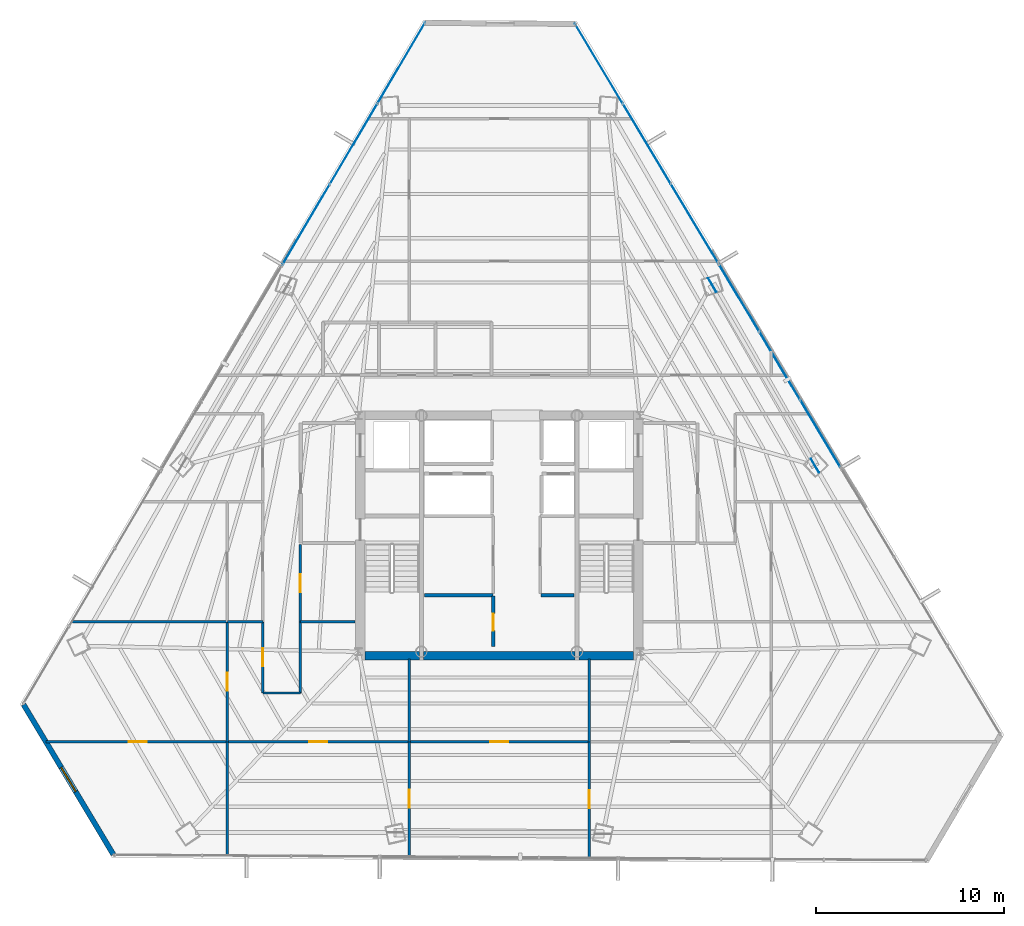
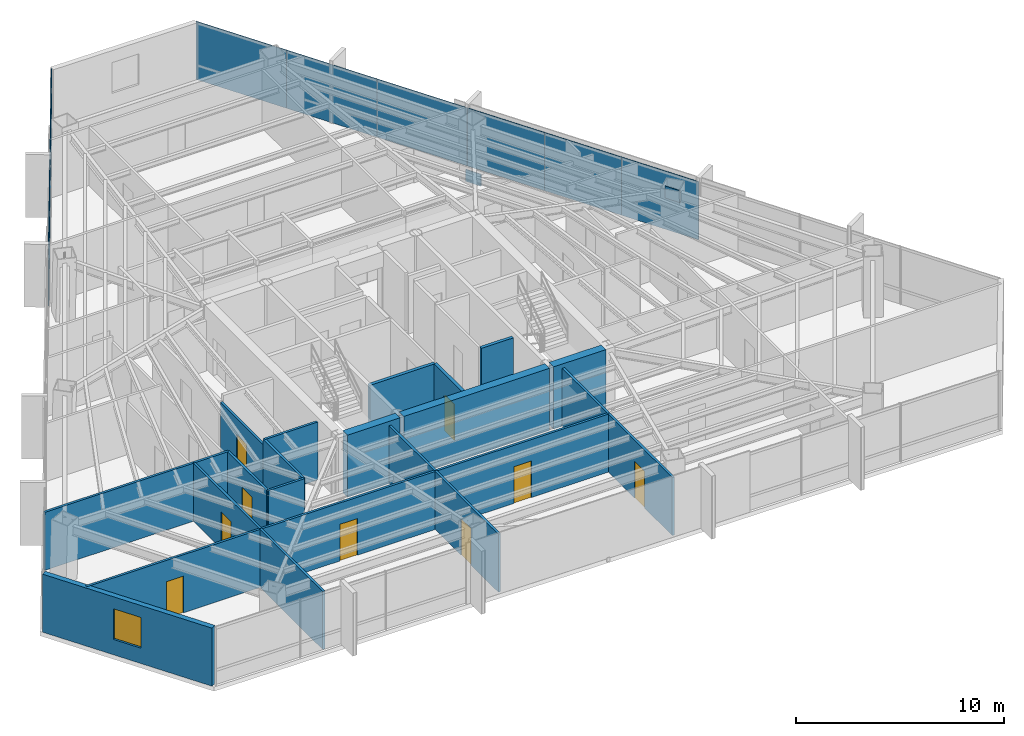
# One storey, part 35 of 41: 23 walls, 11 plates, 9 doors, 1 window, 10 openings, 3 elements without a shape of their own.
"""IFC4 building model written with IfcOpenShell, lengths in metres."""

from ifc_helpers import new_model, si_unit, direction, frame, frame_2d, origin, origin_2d, place, context, subcontext, project, spatial, rectangle, extrude, source, transform, mapped, material, layer, layer_set, type_object, type_shapes, element, fill, aggregate, save


model = new_model("IFC4")

# Units and contexts
model_context = context("Model", 3, precision=1e-05, world=origin(), true_north=direction((0.0, 1.0)))
body_context = subcontext(model_context, "Body", "Model", "MODEL_VIEW")
ifc_project = project(units=[si_unit("LENGTHUNIT", "METRE"), si_unit("AREAUNIT", "SQUARE_METRE"), si_unit("VOLUMEUNIT", "CUBIC_METRE"), si_unit("PLANEANGLEUNIT", "RADIAN"), si_unit("MASSUNIT", "GRAM", prefix="KILO")], contexts=[model_context])

# Site, building, storey
site_placement = place(None, origin())
site = spatial("IfcSite", under=ifc_project, at=site_placement, CompositionType="ELEMENT")
building_placement = place(site_placement, origin())
building = spatial("IfcBuilding", under=site, at=building_placement, Name="Caelisora Broadcast Tower", CompositionType="ELEMENT")
storey_placement = place(building_placement, frame((0.0, 0.0, 173.10009765625)))
storey = spatial("IfcBuildingStorey", under=building, at=storey_placement, Name="L45", CompositionType="ELEMENT", Elevation=173.10009765625)

# Plates
ifc_material_1 = material(Name="Steel Grade 350 L15 (AS/NZS 3678)", Category="steel")
ifc_layer_1 = layer(ifc_material_1, 0.0400390625, Name="Steel Grade 350 L15 (AS/NZS 3678)")
ifc_layer_set_1 = layer_set([ifc_layer_1], Name="Steel Grade 350 L15 (AS/NZS 3678)")
plate_type_1 = type_object("IfcPlateType", Name="GP04", PredefinedType="USERDEFINED", material=ifc_layer_set_1)
shared_shape_1 = source(origin(), body_context, "Body", "SweptSolid", [
    extrude(rectangle(XDim=0.85009765625, YDim=0.0400390625, at=origin_2d()), origin(), (0.0, 0.0, 1.0), 0.699951171875),
])
type_shapes(plate_type_1, [shared_shape_1])
for number, where, z_axis, x_axis, name in (
    (1, (54.8427734375, 27.319091796875, 2.72998046875), (0.0, 0.0, 1.0), (-0.5, 0.866025403784, 0.0), "L45 gusset plate GP04 (ND-L45-C10T)"),
    (2, (49.366455078125, 36.94873046875, -0.22998046875), (0.0, 0.0, 1.0), (-0.5, 0.866025403784, 0.0), "L45 gusset plate GP04 (ND-L45-C11B)"),
):
    element("IfcPlate", number, at=place(storey_placement, frame(where, z_axis=z_axis, x_axis=x_axis)), inside=storey, type_object=plate_type_1, Name=name, ObjectType="GUSSET PLATE", PredefinedType="USERDEFINED", context=body_context, shape_type="MappedRepresentation", body=[
        mapped(shared_shape_1, transform((0.0, 0.0, 0.0), scale=1.0)),
    ])

# Curtain wall, plates
ifc_material_2 = material(Name="Unitised Aluminium and Low-E Glass Curtain Wall", Category="glass")
curtain_wall_type_1 = type_object("IfcCurtainWallType", Name="CW-Z3", PredefinedType="NOTDEFINED", material=ifc_material_2)
curtain_wall_1_placement = place(storey_placement, origin())
curtain_wall_1 = element("IfcCurtainWall", 3, at=curtain_wall_1_placement, inside=storey, type_object=curtain_wall_type_1, Name="L45 curtain wall CW-Z3", PredefinedType="NOTDEFINED")
ifc_material_3 = material(Name="Double Glazed Low-E Argon IGU", Category="glass")
ifc_layer_2 = layer(ifc_material_3, 0.031982421875, Name="Double Glazed Low-E Argon IGU")
ifc_layer_set_2 = layer_set([ifc_layer_2], Name="Double Glazed Low-E Argon IGU")
plate_type_2 = type_object("IfcPlateType", Name="CWP-04", PredefinedType="CURTAIN_PANEL", material=ifc_layer_set_2)
shared_shape_2 = source(origin(), body_context, "Body", "SweptSolid", [
    extrude(rectangle(XDim=4.9951171875, YDim=0.031982421875, at=origin_2d()), origin(), (0.0, 0.0, 1.0), 3.39990234375),
])
plate_1_placement = place(storey_placement, frame((27.704833984375, 40.179931640625, 0.0), z_axis=(0.0, 0.0, 1.0), x_axis=(0.507989441341, 0.861363295878, 0.0)))
plate_1 = element("IfcPlate", 4, at=plate_1_placement, type_object=plate_type_2, Name="L45-CW-B11 glazed panel #1", PredefinedType="CURTAIN_PANEL", context=body_context, shape_type="MappedRepresentation", body=[
    mapped(shared_shape_2, transform((0.0, 0.0, 0.0), scale=1.0)),
])
plate_2_placement = place(storey_placement, frame((30.242431640625, 44.482421875, 0.0), z_axis=(0.0, 0.0, 1.0), x_axis=(0.507989441341, 0.861363295878, 0.0)))
plate_2 = element("IfcPlate", 5, at=plate_2_placement, type_object=plate_type_2, Name="L45-CW-B11 glazed panel #2", PredefinedType="CURTAIN_PANEL", context=body_context, shape_type="MappedRepresentation", body=[
    mapped(shared_shape_2, transform((0.0, 0.0, 0.0), scale=1.0)),
])
plate_3_placement = place(storey_placement, frame((32.7802734375, 48.784912109375, 0.0), z_axis=(0.0, 0.0, 1.0), x_axis=(0.507989441341, 0.861363295878, 0.0)))
plate_3 = element("IfcPlate", 6, at=plate_3_placement, type_object=plate_type_2, Name="L45-CW-B11 glazed panel #3", PredefinedType="CURTAIN_PANEL", context=body_context, shape_type="MappedRepresentation", body=[
    mapped(shared_shape_2, transform((0.0, 0.0, 0.0), scale=1.0)),
])
aggregate(curtain_wall_1, [plate_1, plate_2, plate_3])

curtain_wall_2_placement = place(storey_placement, origin())
curtain_wall_2 = element("IfcCurtainWall", 7, at=curtain_wall_2_placement, inside=storey, type_object=curtain_wall_type_1, Name="L45 curtain wall CW-Z3", PredefinedType="NOTDEFINED")
shared_shape_3 = source(origin(), body_context, "Body", "SweptSolid", [
    extrude(rectangle(XDim=4.96240234375, YDim=0.031982421875, at=origin_2d()), origin(), (0.0, 0.0, 1.0), 3.39990234375),
])
type_shapes(plate_type_2, [shared_shape_2, shared_shape_3])
plate_4_placement = place(storey_placement, frame((43.319580078125, 48.755126953125, 0.0), z_axis=(0.0, 0.0, 1.0), x_axis=(0.513691004814, -0.857975262798, 0.0)))
plate_4 = element("IfcPlate", 8, at=plate_4_placement, type_object=plate_type_2, Name="L45-CW-B01 glazed panel #1", PredefinedType="CURTAIN_PANEL", context=body_context, shape_type="MappedRepresentation", body=[
    mapped(shared_shape_3, transform((0.0, 0.0, 0.0), scale=1.0)),
])
plate_5_placement = place(storey_placement, frame((45.868896484375, 44.497802734375, 0.0), z_axis=(0.0, 0.0, 1.0), x_axis=(0.513691004814, -0.857975262798, 0.0)))
plate_5 = element("IfcPlate", 9, at=plate_5_placement, type_object=plate_type_2, Name="L45-CW-B01 glazed panel #2", PredefinedType="CURTAIN_PANEL", context=body_context, shape_type="MappedRepresentation", body=[
    mapped(shared_shape_3, transform((0.0, 0.0, 0.0), scale=1.0)),
])
plate_6_placement = place(storey_placement, frame((48.418212890625, 40.240234375, 0.0), z_axis=(0.0, 0.0, 1.0), x_axis=(0.513691004814, -0.857975262798, 0.0)))
plate_6 = element("IfcPlate", 10, at=plate_6_placement, type_object=plate_type_2, Name="L45-CW-B01 glazed panel #3", PredefinedType="CURTAIN_PANEL", context=body_context, shape_type="MappedRepresentation", body=[
    mapped(shared_shape_3, transform((0.0, 0.0, 0.0), scale=1.0)),
])
aggregate(curtain_wall_2, [plate_4, plate_5, plate_6])

ifc_material_4 = material(Name="Unitised Aluminium Insulated Shadow-Box Spandrel Curtain Wall", Category="aluminium")
curtain_wall_type_2 = type_object("IfcCurtainWallType", Name="CW-SP2", PredefinedType="NOTDEFINED", material=ifc_material_4)
curtain_wall_3_placement = place(storey_placement, origin())
curtain_wall_3 = element("IfcCurtainWall", 11, at=curtain_wall_3_placement, inside=storey, type_object=curtain_wall_type_2, Name="L45 curtain wall CW-SP2", PredefinedType="NOTDEFINED")
ifc_material_5 = material(Name="Insulated Terracotta Shadow-Box Spandrel Panel", Category="aluminium")
ifc_layer_3 = layer(ifc_material_5, 0.0439453125, Name="Insulated Terracotta Shadow-Box Spandrel Panel")
ifc_layer_set_3 = layer_set([ifc_layer_3], Name="Insulated Terracotta Shadow-Box Spandrel Panel")
plate_type_3 = type_object("IfcPlateType", Name="CWP-10", PredefinedType="CURTAIN_PANEL", material=ifc_layer_set_3)
shared_shape_4 = source(origin(), body_context, "Body", "SweptSolid", [
    extrude(rectangle(XDim=4.2333984375, YDim=0.0439453125, at=origin_2d()), origin(), (0.0, 0.0, 1.0), 3.39990234375),
])
type_shapes(plate_type_3, [shared_shape_4])
plate_7_placement = place(storey_placement, frame((50.78515625, 36.286865234375, 0.0), z_axis=(0.0, 0.0, 1.0), x_axis=(0.513691004814, -0.857975262798, 0.0)))
plate_7 = element("IfcPlate", 12, at=plate_7_placement, type_object=plate_type_3, Name="L45-CW-B02 spandrel panel #1", PredefinedType="CURTAIN_PANEL", context=body_context, shape_type="MappedRepresentation", body=[
    mapped(shared_shape_4, transform((0.0, 0.0, 0.0), scale=1.0)),
])
plate_8_placement = place(storey_placement, frame((52.9599609375, 32.65478515625, 0.0), z_axis=(0.0, 0.0, 1.0), x_axis=(0.513691004814, -0.857975262798, 0.0)))
plate_8 = element("IfcPlate", 13, at=plate_8_placement, type_object=plate_type_3, Name="L45-CW-B02 spandrel panel #2", PredefinedType="CURTAIN_PANEL", context=body_context, shape_type="MappedRepresentation", body=[
    mapped(shared_shape_4, transform((0.0, 0.0, 0.0), scale=1.0)),
])
plate_9_placement = place(storey_placement, frame((55.134521484375, 29.022705078125, 0.0), z_axis=(0.0, 0.0, 1.0), x_axis=(0.513691004814, -0.857975262798, 0.0)))
plate_9 = element("IfcPlate", 14, at=plate_9_placement, type_object=plate_type_3, Name="L45-CW-B02 spandrel panel #3", PredefinedType="CURTAIN_PANEL", context=body_context, shape_type="MappedRepresentation", body=[
    mapped(shared_shape_4, transform((0.0, 0.0, 0.0), scale=1.0)),
])
aggregate(curtain_wall_3, [plate_7, plate_8, plate_9])

# Walls
ifc_material_6 = material(Name="Concrete 50 MPa (AS 3600 S50)", Category="concrete")
ifc_layer_4 = layer(ifc_material_6, 0.449951171875, Name="Concrete 50 MPa (AS 3600 S50)")
ifc_layer_set_4 = layer_set([ifc_layer_4], Name="Concrete 50 MPa (AS 3600 S50)")
wall_type_1 = type_object("IfcWallType", Name="CW5", PredefinedType="SHEAR", material=ifc_layer_set_4)
wall_1_placement = place(storey_placement, frame((30.840087890625, 17.175048828125, 0.0), z_axis=(0.0, 0.0, 1.0), x_axis=(1.0, 0.0, 0.0)))
element("IfcWall", 15, at=wall_1_placement, inside=storey, type_object=wall_type_1, Name="L45 core shear wall CW5", PredefinedType="SHEAR", context=body_context, shape_type="SweptSolid", body=[
    extrude(rectangle(XDim=2.89990234375, YDim=0.449951171875, at=frame_2d((1.449951171875, 0.0))), origin(), (0.0, 0.0, 1.0), 3.64990234375),
])
wall_2_placement = place(storey_placement, frame((33.9599609375, 17.175048828125, 0.0), z_axis=(0.0, 0.0, 1.0), x_axis=(1.0, 0.0, 0.0)))
element("IfcWall", 16, at=wall_2_placement, inside=storey, type_object=wall_type_1, Name="L45 core shear wall CW5", PredefinedType="SHEAR", context=body_context, shape_type="SweptSolid", body=[
    extrude(rectangle(XDim=8.080078125, YDim=0.449951171875, at=frame_2d((4.0400390625, 0.0))), origin(), (0.0, 0.0, 1.0), 3.64990234375),
])
wall_3_placement = place(storey_placement, frame((42.260009765625, 17.175048828125, 0.0), z_axis=(0.0, 0.0, 1.0), x_axis=(1.0, 0.0, 0.0)))
element("IfcWall", 17, at=wall_3_placement, inside=storey, type_object=wall_type_1, Name="L45 core shear wall CW5", PredefinedType="SHEAR", context=body_context, shape_type="SweptSolid", body=[
    extrude(rectangle(XDim=2.89990234375, YDim=0.449951171875, at=frame_2d((1.449951171875, 0.0))), origin(), (0.0, 0.0, 1.0), 3.64990234375),
])

# Wall, opening, window
ifc_material_7 = material(Name="Insulated Terracotta Spandrel Wall System", Category="masonry")
ifc_layer_5 = layer(ifc_material_7, 0.280029296875, Name="Insulated Terracotta Spandrel Wall System")
ifc_layer_set_5 = layer_set([ifc_layer_5], Name="Insulated Terracotta Spandrel Wall System")
wall_type_2 = type_object("IfcWallType", Name="EW1", PredefinedType="STANDARD", material=ifc_layer_set_5)
wall_4_placement = place(storey_placement, frame((17.424560546875, 6.5908203125, 0.0), z_axis=(0.0, 0.0, 1.0), x_axis=(-0.513713259562, 0.857961937938, 0.0)))
wall_4 = element("IfcWall", 18, at=wall_4_placement, inside=storey, type_object=wall_type_2, Name="L45 exterior envelope wall EW1", PredefinedType="STANDARD", context=body_context, shape_type="SweptSolid", body=[
    extrude(rectangle(XDim=9.316650390625, YDim=0.280029296875, at=frame_2d((4.658203125, 0.0))), origin(), (0.0, 0.0, 1.0), 3.39990234375),
])
opening_1_placement = place(wall_4_placement, frame((3.909912109375, 0.0, 0.89990234375)))
opening_1 = element("IfcOpeningElement", 19, at=opening_1_placement, cuts=wall_4, Name="Opening W02", PredefinedType="OPENING", context=body_context, shape_type="SweptSolid", body=[
    extrude(rectangle(XDim=1.5, YDim=1.800048828125, at=frame_2d((0.75, 0.89990234375))), frame((0.0, 0.152099609375, 0.0), z_axis=(0.0, -1.0, 0.0), x_axis=(1.0, 0.0, 0.0)), (0.0, 0.0, 1.0), 0.303955078125),
])
ifc_material_8 = material(Name="Double Glazed Terracotta-Framed Vision Window", Category="glass")
window_type = type_object("IfcWindowType", Name="W02", PartitioningType="SINGLE_PANEL", PredefinedType="WINDOW", material=ifc_material_8)
window_placement = place(opening_1_placement, origin())
window = element("IfcWindow", 20, at=window_placement, inside=storey, type_object=window_type, Name="L45 window W02 (L45-WN-CH4)", OverallHeight=1.800048828125, OverallWidth=1.5, PartitioningType="SINGLE_PANEL", PredefinedType="WINDOW", context=body_context, shape_type="SweptSolid", body=[
    extrude(rectangle(XDim=1.5, YDim=1.800048828125, at=frame_2d((0.75, 0.89990234375))), frame((0.0, 0.030029296875, 0.0), z_axis=(0.0, -1.0, 0.0), x_axis=(1.0, 0.0, 0.0)), (0.0, 0.0, 1.0), 0.06005859375),
])
fill(opening_1, window)

# Walls
ifc_material_9 = material(Name="Fire-Rated Gypsum Shaft and Compartment Wall", Category="gypsum")
ifc_layer_6 = layer(ifc_material_9, 0.179931640625, Name="Fire-Rated Gypsum Shaft and Compartment Wall")
ifc_layer_set_6 = layer_set([ifc_layer_6], Name="Fire-Rated Gypsum Shaft and Compartment Wall")
wall_type_3 = type_object("IfcWallType", Name="PW2", PredefinedType="PARTITIONING", material=ifc_layer_set_6)
wall_5_placement = place(storey_placement, frame((34.02001953125, 20.419921875, 0.0), z_axis=(0.0, 0.0, 1.0), x_axis=(1.0, 0.0, 0.0)))
element("IfcWall", 21, at=wall_5_placement, inside=storey, type_object=wall_type_3, Name="L45 fire compartment wall PW2", PredefinedType="PARTITIONING", context=body_context, shape_type="SweptSolid", body=[
    extrude(rectangle(XDim=3.639892578125, YDim=0.179931640625, at=frame_2d((1.81982421875, 0.0))), origin(), (0.0, 0.0, 1.0), 3.39990234375),
])
wall_6_placement = place(storey_placement, frame((40.219970703125, 20.419921875, 0.0), z_axis=(0.0, 0.0, 1.0), x_axis=(1.0, 0.0, 0.0)))
element("IfcWall", 22, at=wall_6_placement, inside=storey, type_object=wall_type_3, Name="L45 fire compartment wall PW2", PredefinedType="PARTITIONING", context=body_context, shape_type="SweptSolid", body=[
    extrude(rectangle(XDim=1.760009765625, YDim=0.179931640625, at=frame_2d((0.8798828125, 0.0))), origin(), (0.0, 0.0, 1.0), 3.39990234375),
])

# Wall, opening, door
wall_7_placement = place(storey_placement, frame((37.679931640625, 17.679931640625, 0.0), z_axis=(0.0, 0.0, 1.0), x_axis=(0.0, 1.0, 0.0)))
wall_7 = element("IfcWall", 23, at=wall_7_placement, inside=storey, type_object=wall_type_3, Name="L45 fire compartment wall PW2", PredefinedType="PARTITIONING", context=body_context, shape_type="SweptSolid", body=[
    extrude(rectangle(XDim=2.699951171875, YDim=0.179931640625, at=frame_2d((1.35009765625, 0.0))), origin(), (0.0, 0.0, 1.0), 3.39990234375),
])
opening_2_placement = place(wall_7_placement, frame((0.85009765625, 0.0, 0.0)))
opening_2 = element("IfcOpeningElement", 24, at=opening_2_placement, cuts=wall_7, Name="Opening FD03", PredefinedType="OPENING", context=body_context, shape_type="SweptSolid", body=[
    extrude(rectangle(XDim=0.89990234375, YDim=2.10009765625, at=frame_2d((0.449951171875, 1.050048828125))), frame((0.0, 0.10205078125, 0.0), z_axis=(0.0, -1.0, 0.0), x_axis=(1.0, 0.0, 0.0)), (0.0, 0.0, 1.0), 0.203857421875),
])
ifc_material_10 = material(Name="Single-Leaf Steel Riser Fire Access Door", Category="steel")
door_type_1 = type_object("IfcDoorType", Name="FD03", OperationType="NOTDEFINED", PredefinedType="DOOR", material=ifc_material_10)
door_1_placement = place(opening_2_placement, origin())
door_1 = element("IfcDoor", 25, at=door_1_placement, inside=storey, type_object=door_type_1, Name="L45 door FD03 (L45-DR-P13D1)", OperationType="SINGLE_SWING_RIGHT", OverallHeight=2.10009765625, OverallWidth=0.89990234375, PredefinedType="DOOR", context=body_context, shape_type="SweptSolid", body=[
    extrude(rectangle(XDim=0.89990234375, YDim=2.10009765625, at=frame_2d((0.449951171875, 1.050048828125))), frame((0.0, 0.02490234375, 0.0), z_axis=(0.0, -1.0, 0.0), x_axis=(1.0, 0.0, 0.0)), (0.0, 0.0, 1.0), 0.050048828125),
])
fill(opening_2, door_1)

ifc_material_11 = material(Name="Acoustic Steel-Stud Plasterboard Partition", Category="gypsum")
ifc_layer_7 = layer(ifc_material_11, 0.1298828125, Name="Acoustic Steel-Stud Plasterboard Partition")
ifc_layer_set_7 = layer_set([ifc_layer_7], Name="Acoustic Steel-Stud Plasterboard Partition")
wall_type_4 = type_object("IfcWallType", Name="PW3", PredefinedType="PARTITIONING", material=ifc_layer_set_7)
wall_8_placement = place(storey_placement, frame((13.826904296875, 12.590087890625, 0.0), z_axis=(0.0, 0.0, 1.0), x_axis=(1.0, 0.0, 0.0)))
wall_8 = element("IfcWall", 26, at=wall_8_placement, inside=storey, type_object=wall_type_4, Name="L45 internal partition PW3", PredefinedType="PARTITIONING", context=body_context, shape_type="SweptSolid", body=[
    extrude(rectangle(XDim=9.668212890625, YDim=0.1298828125, at=frame_2d((4.833984375, 0.0))), origin(), (0.0, 0.0, 1.0), 3.39990234375),
])
opening_3_placement = place(wall_8_placement, frame((4.407958984375, 0.0, 0.0)))
opening_3 = element("IfcOpeningElement", 27, at=opening_3_placement, cuts=wall_8, Name="Opening D01", PredefinedType="OPENING", context=body_context, shape_type="SweptSolid", body=[
    extrude(rectangle(XDim=0.9599609375, YDim=2.14990234375, at=frame_2d((0.47998046875, 1.074951171875))), frame((0.0, 0.076904296875, 0.0), z_axis=(0.0, -1.0, 0.0), x_axis=(1.0, 0.0, 0.0)), (0.0, 0.0, 1.0), 0.15380859375),
])
ifc_material_12 = material(Name="Solid-Core Timber Acoustic Office Door", Category="wood")
door_type_2 = type_object("IfcDoorType", Name="D01", OperationType="NOTDEFINED", PredefinedType="DOOR", material=ifc_material_12)
door_2_placement = place(opening_3_placement, origin())
door_2 = element("IfcDoor", 28, at=door_2_placement, inside=storey, type_object=door_type_2, Name="L45 door D01 (L45-DR-P27D1)", OperationType="SINGLE_SWING_RIGHT", OverallHeight=2.14990234375, OverallWidth=0.9599609375, PredefinedType="DOOR", context=body_context, shape_type="SweptSolid", body=[
    extrude(rectangle(XDim=0.9599609375, YDim=2.14990234375, at=frame_2d((0.47998046875, 1.074951171875))), frame((0.0, 0.02490234375, 0.0), z_axis=(0.0, -1.0, 0.0), x_axis=(1.0, 0.0, 0.0)), (0.0, 0.0, 1.0), 0.050048828125),
])
fill(opening_3, door_2)

wall_9_placement = place(storey_placement, frame((23.5048828125, 12.590087890625, 0.0), z_axis=(0.0, 0.0, 1.0), x_axis=(1.0, 0.0, 0.0)))
wall_9 = element("IfcWall", 29, at=wall_9_placement, inside=storey, type_object=wall_type_4, Name="L45 internal partition PW3", PredefinedType="PARTITIONING", context=body_context, shape_type="SweptSolid", body=[
    extrude(rectangle(XDim=9.690185546875, YDim=0.1298828125, at=frame_2d((4.84521484375, 0.0))), origin(), (0.0, 0.0, 1.0), 3.39990234375),
])
opening_4_placement = place(wall_9_placement, frame((4.364990234375, 0.0, 0.0)))
opening_4 = element("IfcOpeningElement", 30, at=opening_4_placement, cuts=wall_9, Name="Opening D01", PredefinedType="OPENING", context=body_context, shape_type="SweptSolid", body=[
    extrude(rectangle(XDim=0.9599609375, YDim=2.14990234375, at=frame_2d((0.47998046875, 1.074951171875))), frame((0.0, 0.076904296875, 0.0), z_axis=(0.0, -1.0, 0.0), x_axis=(1.0, 0.0, 0.0)), (0.0, 0.0, 1.0), 0.15380859375),
])
door_3_placement = place(opening_4_placement, origin())
door_3 = element("IfcDoor", 31, at=door_3_placement, inside=storey, type_object=door_type_2, Name="L45 door D01 (L45-DR-P29D1)", OperationType="SINGLE_SWING_RIGHT", OverallHeight=2.14990234375, OverallWidth=0.9599609375, PredefinedType="DOOR", context=body_context, shape_type="SweptSolid", body=[
    extrude(rectangle(XDim=0.9599609375, YDim=2.14990234375, at=frame_2d((0.47998046875, 1.074951171875))), frame((0.0, 0.02490234375, 0.0), z_axis=(0.0, -1.0, 0.0), x_axis=(1.0, 0.0, 0.0)), (0.0, 0.0, 1.0), 0.050048828125),
])
fill(opening_4, door_3)

wall_10_placement = place(storey_placement, frame((33.205078125, 12.590087890625, 0.0), z_axis=(0.0, 0.0, 1.0), x_axis=(1.0, 0.0, 0.0)))
wall_10 = element("IfcWall", 32, at=wall_10_placement, inside=storey, type_object=wall_type_4, Name="L45 internal partition PW3", PredefinedType="PARTITIONING", context=body_context, shape_type="SweptSolid", body=[
    extrude(rectangle(XDim=9.58984375, YDim=0.1298828125, at=frame_2d((4.794921875, 0.0))), origin(), (0.0, 0.0, 1.0), 3.39990234375),
])
opening_5_placement = place(wall_10_placement, frame((4.31494140625, 0.0, 0.0)))
opening_5 = element("IfcOpeningElement", 33, at=opening_5_placement, cuts=wall_10, Name="Opening D01", PredefinedType="OPENING", context=body_context, shape_type="SweptSolid", body=[
    extrude(rectangle(XDim=0.9599609375, YDim=2.14990234375, at=frame_2d((0.47998046875, 1.074951171875))), frame((0.0, 0.076904296875, 0.0), z_axis=(0.0, -1.0, 0.0), x_axis=(1.0, 0.0, 0.0)), (0.0, 0.0, 1.0), 0.15380859375),
])
door_4_placement = place(opening_5_placement, origin())
door_4 = element("IfcDoor", 34, at=door_4_placement, inside=storey, type_object=door_type_2, Name="L45 door D01 (L45-DR-P31D1)", OperationType="SINGLE_SWING_RIGHT", OverallHeight=2.14990234375, OverallWidth=0.9599609375, PredefinedType="DOOR", context=body_context, shape_type="SweptSolid", body=[
    extrude(rectangle(XDim=0.9599609375, YDim=2.14990234375, at=frame_2d((0.47998046875, 1.074951171875))), frame((0.0, 0.02490234375, 0.0), z_axis=(0.0, -1.0, 0.0), x_axis=(1.0, 0.0, 0.0)), (0.0, 0.0, 1.0), 0.050048828125),
])
fill(opening_5, door_4)

# Wall
wall_11_placement = place(storey_placement, frame((15.201416015625, 18.989990234375, 0.0), z_axis=(0.0, 0.0, 1.0), x_axis=(1.0, 0.0, 0.0)))
element("IfcWall", 35, at=wall_11_placement, inside=storey, type_object=wall_type_4, Name="L45 internal partition PW3", PredefinedType="PARTITIONING", context=body_context, shape_type="SweptSolid", body=[
    extrude(rectangle(XDim=8.293701171875, YDim=0.1298828125, at=frame_2d((4.14697265625, 0.0))), origin(), (0.0, 0.0, 1.0), 3.39990234375),
])

# Wall, opening, door
wall_12_placement = place(storey_placement, frame((23.5, 12.594970703125, 0.0), z_axis=(0.0, 0.0, 1.0), x_axis=(0.0, 1.0, 0.0)))
wall_12 = element("IfcWall", 36, at=wall_12_placement, inside=storey, type_object=wall_type_4, Name="L45 internal partition PW3", PredefinedType="PARTITIONING", context=body_context, shape_type="SweptSolid", body=[
    extrude(rectangle(XDim=6.39013671875, YDim=0.1298828125, at=frame_2d((3.195068359375, 0.0))), origin(), (0.0, 0.0, 1.0), 3.39990234375),
])
opening_6_placement = place(wall_12_placement, frame((2.715087890625, 0.0, 0.0)))
opening_6 = element("IfcOpeningElement", 37, at=opening_6_placement, cuts=wall_12, Name="Opening D01", PredefinedType="OPENING", context=body_context, shape_type="SweptSolid", body=[
    extrude(rectangle(XDim=0.9599609375, YDim=2.14990234375, at=frame_2d((0.47998046875, 1.074951171875))), frame((0.0, 0.076904296875, 0.0), z_axis=(0.0, -1.0, 0.0), x_axis=(1.0, 0.0, 0.0)), (0.0, 0.0, 1.0), 0.15380859375),
])
door_5_placement = place(opening_6_placement, origin())
door_5 = element("IfcDoor", 38, at=door_5_placement, inside=storey, type_object=door_type_2, Name="L45 door D01 (L45-DR-P45D1)", OperationType="SINGLE_SWING_RIGHT", OverallHeight=2.14990234375, OverallWidth=0.9599609375, PredefinedType="DOOR", context=body_context, shape_type="SweptSolid", body=[
    extrude(rectangle(XDim=0.9599609375, YDim=2.14990234375, at=frame_2d((0.47998046875, 1.074951171875))), frame((0.0, 0.02490234375, 0.0), z_axis=(0.0, -1.0, 0.0), x_axis=(1.0, 0.0, 0.0)), (0.0, 0.0, 1.0), 0.050048828125),
])
fill(opening_6, door_5)

wall_13_placement = place(storey_placement, frame((42.800048828125, 6.39208984375, 0.0), z_axis=(0.0, 0.0, 1.0), x_axis=(0.0, 1.0, 0.0)))
wall_13 = element("IfcWall", 39, at=wall_13_placement, inside=storey, type_object=wall_type_4, Name="L45 internal partition PW3", PredefinedType="PARTITIONING", context=body_context, shape_type="SweptSolid", body=[
    extrude(rectangle(XDim=6.19287109375, YDim=0.1298828125, at=frame_2d((3.096435546875, 0.0))), origin(), (0.0, 0.0, 1.0), 3.39990234375),
])
opening_7_placement = place(wall_13_placement, frame((2.6630859375, 0.0, 0.0)))
opening_7 = element("IfcOpeningElement", 40, at=opening_7_placement, cuts=wall_13, Name="Opening D01", PredefinedType="OPENING", context=body_context, shape_type="SweptSolid", body=[
    extrude(rectangle(XDim=0.9599609375, YDim=2.14990234375, at=frame_2d((0.47998046875, 1.074951171875))), frame((0.0, 0.076904296875, 0.0), z_axis=(0.0, -1.0, 0.0), x_axis=(1.0, 0.0, 0.0)), (0.0, 0.0, 1.0), 0.15380859375),
])
door_6_placement = place(opening_7_placement, origin())
door_6 = element("IfcDoor", 41, at=door_6_placement, inside=storey, type_object=door_type_2, Name="L45 door D01 (L45-DR-P48D1)", OperationType="SINGLE_SWING_LEFT", OverallHeight=2.14990234375, OverallWidth=0.9599609375, PredefinedType="DOOR", context=body_context, shape_type="SweptSolid", body=[
    extrude(rectangle(XDim=0.9599609375, YDim=2.14990234375, at=frame_2d((0.47998046875, 1.074951171875))), frame((0.0, 0.02490234375, 0.0), z_axis=(0.0, -1.0, 0.0), x_axis=(1.0, 0.0, 0.0)), (0.0, 0.0, 1.0), 0.050048828125),
])
fill(opening_7, door_6)

wall_14_placement = place(storey_placement, frame((33.199951171875, 6.455810546875, 0.0), z_axis=(0.0, 0.0, 1.0), x_axis=(0.0, 1.0, 0.0)))
wall_14 = element("IfcWall", 42, at=wall_14_placement, inside=storey, type_object=wall_type_4, Name="L45 internal partition PW3", PredefinedType="PARTITIONING", context=body_context, shape_type="SweptSolid", body=[
    extrude(rectangle(XDim=6.129150390625, YDim=0.1298828125, at=frame_2d((3.064453125, 0.0))), origin(), (0.0, 0.0, 1.0), 3.39990234375),
])
opening_8_placement = place(wall_14_placement, frame((2.633056640625, 0.0, 0.0)))
opening_8 = element("IfcOpeningElement", 43, at=opening_8_placement, cuts=wall_14, Name="Opening D01", PredefinedType="OPENING", context=body_context, shape_type="SweptSolid", body=[
    extrude(rectangle(XDim=0.9599609375, YDim=2.14990234375, at=frame_2d((0.47998046875, 1.074951171875))), frame((0.0, 0.076904296875, 0.0), z_axis=(0.0, -1.0, 0.0), x_axis=(1.0, 0.0, 0.0)), (0.0, 0.0, 1.0), 0.15380859375),
])
door_7_placement = place(opening_8_placement, origin())
door_7 = element("IfcDoor", 44, at=door_7_placement, inside=storey, type_object=door_type_2, Name="L45 door D01 (L45-DR-P49D1)", OperationType="SINGLE_SWING_RIGHT", OverallHeight=2.14990234375, OverallWidth=0.9599609375, PredefinedType="DOOR", context=body_context, shape_type="SweptSolid", body=[
    extrude(rectangle(XDim=0.9599609375, YDim=2.14990234375, at=frame_2d((0.47998046875, 1.074951171875))), frame((0.0, 0.02490234375, 0.0), z_axis=(0.0, -1.0, 0.0), x_axis=(1.0, 0.0, 0.0)), (0.0, 0.0, 1.0), 0.050048828125),
])
fill(opening_8, door_7)

# Walls
wall_15_placement = place(storey_placement, frame((23.5, 6.520263671875, 0.0), z_axis=(0.0, 0.0, 1.0), x_axis=(0.0, 1.0, 0.0)))
element("IfcWall", 45, at=wall_15_placement, inside=storey, type_object=wall_type_4, Name="L45 internal partition PW3", PredefinedType="PARTITIONING", context=body_context, shape_type="SweptSolid", body=[
    extrude(rectangle(XDim=6.064697265625, YDim=0.1298828125, at=frame_2d((3.0322265625, 0.0))), origin(), (0.0, 0.0, 1.0), 3.39990234375),
])
for number, where, z_axis, x_axis, name in (
    (46, (33.199951171875, 12.594970703125, 0.0), (0.0, 0.0, 1.0), (0.0, 1.0, 0.0), "L45 internal partition PW3"),
    (47, (42.800048828125, 12.594970703125, 0.0), (0.0, 0.0, 1.0), (0.0, 1.0, 0.0), "L45 internal partition PW3"),
):
    element("IfcWall", number, at=place(storey_placement, frame(where, z_axis=z_axis, x_axis=x_axis)), inside=storey, type_object=wall_type_4, Name=name, PredefinedType="PARTITIONING", context=body_context, shape_type="SweptSolid", body=[
        extrude(rectangle(XDim=4.429931640625, YDim=0.1298828125, at=frame_2d((2.21484375, 0.0))), origin(), (0.0, 0.0, 1.0), 3.39990234375),
    ])

# Wall, opening, door
wall_16_placement = place(storey_placement, frame((27.39990234375, 18.9951171875, 0.0), z_axis=(0.0, 0.0, 1.0), x_axis=(0.0, 1.0, 0.0)))
wall_16 = element("IfcWall", 48, at=wall_16_placement, inside=storey, type_object=wall_type_4, Name="L45 internal partition PW3", PredefinedType="PARTITIONING", context=body_context, shape_type="SweptSolid", body=[
    extrude(rectangle(XDim=4.10986328125, YDim=0.1298828125, at=frame_2d((2.054931640625, 0.0))), origin(), (0.0, 0.0, 1.0), 3.07763671875),
])
opening_9_placement = place(wall_16_placement, frame((1.574951171875, 0.0, 0.0)))
opening_9 = element("IfcOpeningElement", 49, at=opening_9_placement, cuts=wall_16, Name="Opening D01", PredefinedType="OPENING", context=body_context, shape_type="SweptSolid", body=[
    extrude(rectangle(XDim=0.9599609375, YDim=2.14990234375, at=frame_2d((0.47998046875, 1.074951171875))), frame((0.0, 0.076904296875, 0.0), z_axis=(0.0, -1.0, 0.0), x_axis=(1.0, 0.0, 0.0)), (0.0, 0.0, 1.0), 0.15380859375),
])
door_8_placement = place(opening_9_placement, origin())
door_8 = element("IfcDoor", 50, at=door_8_placement, inside=storey, type_object=door_type_2, Name="L45 door D01 (L45-DR-P60D1)", OperationType="SINGLE_SWING_LEFT", OverallHeight=2.14990234375, OverallWidth=0.9599609375, PredefinedType="DOOR", context=body_context, shape_type="SweptSolid", body=[
    extrude(rectangle(XDim=0.9599609375, YDim=2.14990234375, at=frame_2d((0.47998046875, 1.074951171875))), frame((0.0, 0.02490234375, 0.0), z_axis=(0.0, -1.0, 0.0), x_axis=(1.0, 0.0, 0.0)), (0.0, 0.0, 1.0), 0.050048828125),
])
fill(opening_9, door_8)

wall_17_placement = place(storey_placement, frame((25.39990234375, 18.985107421875, 0.0), z_axis=(0.0, 0.0, 1.0), x_axis=(0.0, -1.0, 0.0)))
wall_17 = element("IfcWall", 51, at=wall_17_placement, inside=storey, type_object=wall_type_4, Name="L45 internal partition PW3", PredefinedType="PARTITIONING", context=body_context, shape_type="SweptSolid", body=[
    extrude(rectangle(XDim=3.780029296875, YDim=0.1298828125, at=frame_2d((1.89013671875, 0.0))), origin(), (0.0, 0.0, 1.0), 3.39990234375),
])
opening_10_placement = place(wall_17_placement, frame((1.409912109375, 0.0, 0.0)))
opening_10 = element("IfcOpeningElement", 52, at=opening_10_placement, cuts=wall_17, Name="Opening D01", PredefinedType="OPENING", context=body_context, shape_type="SweptSolid", body=[
    extrude(rectangle(XDim=0.9599609375, YDim=2.14990234375, at=frame_2d((0.47998046875, 1.074951171875))), frame((0.0, 0.076904296875, 0.0), z_axis=(0.0, -1.0, 0.0), x_axis=(1.0, 0.0, 0.0)), (0.0, 0.0, 1.0), 0.15380859375),
])
door_9_placement = place(opening_10_placement, origin())
door_9 = element("IfcDoor", 53, at=door_9_placement, inside=storey, type_object=door_type_2, Name="L45 door D01 (L45-DR-P62D1)", OperationType="SINGLE_SWING_RIGHT", OverallHeight=2.14990234375, OverallWidth=0.9599609375, PredefinedType="DOOR", context=body_context, shape_type="SweptSolid", body=[
    extrude(rectangle(XDim=0.9599609375, YDim=2.14990234375, at=frame_2d((0.47998046875, 1.074951171875))), frame((0.0, 0.02490234375, 0.0), z_axis=(0.0, -1.0, 0.0), x_axis=(1.0, 0.0, 0.0)), (0.0, 0.0, 1.0), 0.050048828125),
])
fill(opening_10, door_9)

# Walls
wall_18_placement = place(storey_placement, frame((27.39990234375, 15.205078125, 0.0), z_axis=(0.0, 0.0, 1.0), x_axis=(0.0, 1.0, 0.0)))
element("IfcWall", 54, at=wall_18_placement, inside=storey, type_object=wall_type_4, Name="L45 internal partition PW3", PredefinedType="PARTITIONING", context=body_context, shape_type="SweptSolid", body=[
    extrude(rectangle(XDim=3.780029296875, YDim=0.1298828125, at=frame_2d((1.89013671875, 0.0))), origin(), (0.0, 0.0, 1.0), 3.39990234375),
])
wall_19_placement = place(storey_placement, frame((27.405029296875, 18.989990234375, 0.0), z_axis=(0.0, 0.0, 1.0), x_axis=(1.0, 0.0, 0.0)))
element("IfcWall", 55, at=wall_19_placement, inside=storey, type_object=wall_type_4, Name="L45 internal partition PW3", PredefinedType="PARTITIONING", context=body_context, shape_type="SweptSolid", body=[
    extrude(rectangle(XDim=2.919921875, YDim=0.1298828125, at=frame_2d((1.4599609375, 0.0))), origin(), (0.0, 0.0, 1.0), 3.39990234375),
])
wall_20_placement = place(storey_placement, frame((25.405029296875, 15.199951171875, 0.0), z_axis=(0.0, 0.0, 1.0), x_axis=(1.0, 0.0, 0.0)))
element("IfcWall", 56, at=wall_20_placement, inside=storey, type_object=wall_type_4, Name="L45 internal partition PW3", PredefinedType="PARTITIONING", context=body_context, shape_type="SweptSolid", body=[
    extrude(rectangle(XDim=1.989990234375, YDim=0.1298828125, at=frame_2d((0.9951171875, 0.0))), origin(), (0.0, 0.0, 1.0), 3.39990234375),
])
wall_21_placement = place(storey_placement, frame((23.5048828125, 18.989990234375, 0.0), z_axis=(0.0, 0.0, 1.0), x_axis=(1.0, 0.0, 0.0)))
element("IfcWall", 57, at=wall_21_placement, inside=storey, type_object=wall_type_4, Name="L45 internal partition PW3", PredefinedType="PARTITIONING", context=body_context, shape_type="SweptSolid", body=[
    extrude(rectangle(XDim=1.89013671875, YDim=0.1298828125, at=frame_2d((0.945068359375, 0.0))), origin(), (0.0, 0.0, 1.0), 3.39990234375),
])

save(model, "model.ifc")
